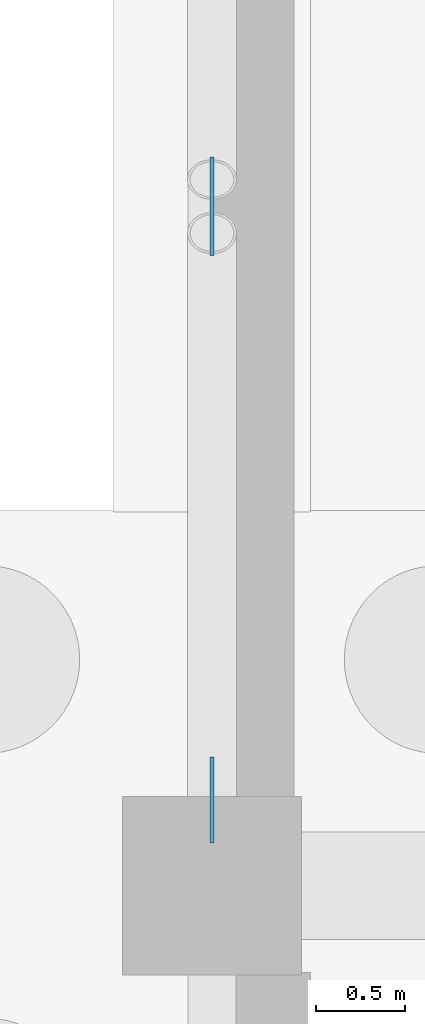
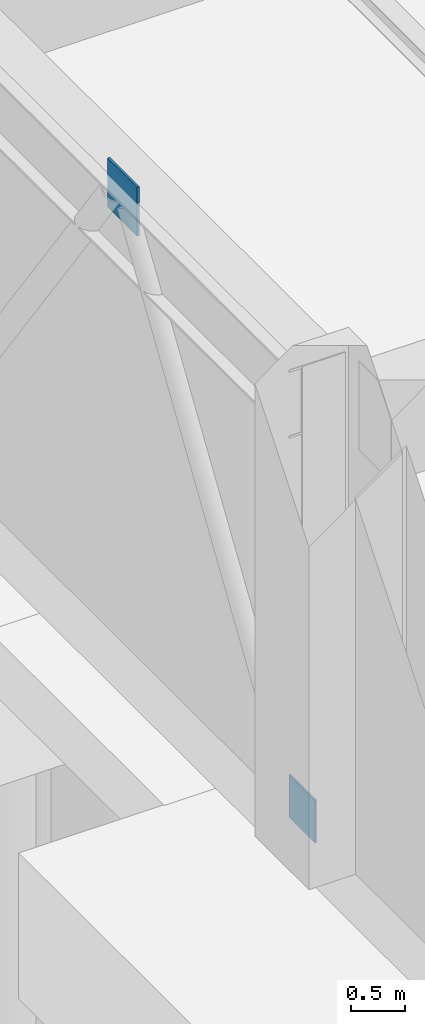
# One storey, part 36 of 52: 2 plates.
"""IFC4 building model written with IfcOpenShell, lengths in metres."""

from ifc_helpers import new_model, si_unit, direction, frame, origin, origin_2d, place, context, subcontext, project, spatial, rectangle, extrude, material, layer, layer_set, type_object, element, save


model = new_model("IFC4")

# Units and contexts
model_context = context("Model", 3, precision=1e-05, world=origin(), true_north=direction((0.0, 1.0)))
body_context = subcontext(model_context, "Body", "Model", "MODEL_VIEW")
ifc_project = project(units=[si_unit("LENGTHUNIT", "METRE"), si_unit("AREAUNIT", "SQUARE_METRE"), si_unit("VOLUMEUNIT", "CUBIC_METRE"), si_unit("PLANEANGLEUNIT", "RADIAN"), si_unit("MASSUNIT", "GRAM", prefix="KILO")], contexts=[model_context])

# Site, building, storey
site_placement = place(None, origin())
site = spatial("IfcSite", under=ifc_project, at=site_placement, CompositionType="ELEMENT")
building_placement = place(site_placement, origin())
building = spatial("IfcBuilding", under=site, at=building_placement, Name="Xicomal Pleat Aquarium", CompositionType="ELEMENT")
storey_placement = place(building_placement, frame((0.0, 0.0, -5.39990234375)))
storey = spatial("IfcBuildingStorey", under=building, at=storey_placement, Name="B1", CompositionType="ELEMENT", Elevation=-5.39990234375)

# Plates
ifc_material_1 = material(Name="Structural steel A992 Gr 50", Category="steel")
ifc_layer_1 = layer(ifc_material_1, 0.02001953125)
ifc_layer_set_1 = layer_set([ifc_layer_1], Name="Structural steel A992 Gr 50")
plate_type_1 = type_object("IfcPlateType", Name="PLT-CAP-20", PredefinedType="SHEET", material=ifc_layer_set_1)
plate_1_placement = place(storey_placement, frame((3.0, 53.679931640625, -0.090087890625), z_axis=(0.0, 0.0, 1.0), x_axis=(0.0, 1.0, 0.0)))
element("IfcPlate", 1, at=plate_1_placement, inside=storey, type_object=plate_type_1, Name="B1 HSS end cap plate 6", PredefinedType="SHEET", context=body_context, shape_type="SweptSolid", body=[
    extrude(rectangle(XDim=0.47998046875, YDim=0.02001953125, at=origin_2d()), origin(), (0.0, 0.0, 1.0), 0.47998046875),
])
ifc_material_2 = material(Name="Structural steel A992 Gr 50", Category="steel")
ifc_layer_2 = layer(ifc_material_2, 0.02490234375)
ifc_layer_set_2 = layer_set([ifc_layer_2], Name="Structural steel A992 Gr 50")
plate_type_2 = type_object("IfcPlateType", Name="PLT-GUS-25", PredefinedType="USERDEFINED", material=ifc_layer_set_2)
plate_2_placement = place(storey_placement, frame((3.0, 57.0, 4.77490234375), z_axis=(0.0, 0.0, 1.0), x_axis=(0.0, 1.0, 0.0)))
element("IfcPlate", 2, at=plate_2_placement, inside=storey, type_object=plate_type_2, Name="B1 chevron gusset node plate 6", ObjectType="GUSSET PLATE", PredefinedType="USERDEFINED", context=body_context, shape_type="SweptSolid", body=[
    extrude(rectangle(XDim=0.550048828125, YDim=0.02490234375, at=origin_2d()), origin(), (0.0, 0.0, 1.0), 0.550048828125),
])

save(model, "model.ifc")
